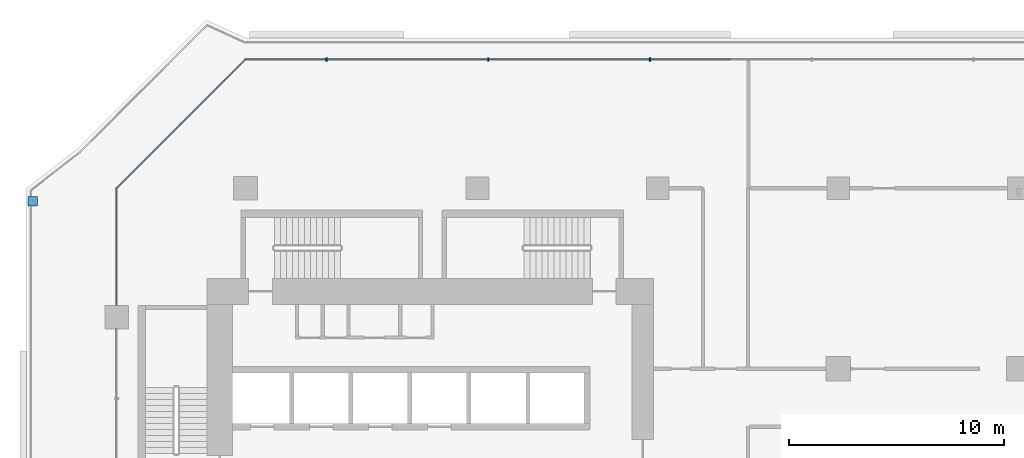
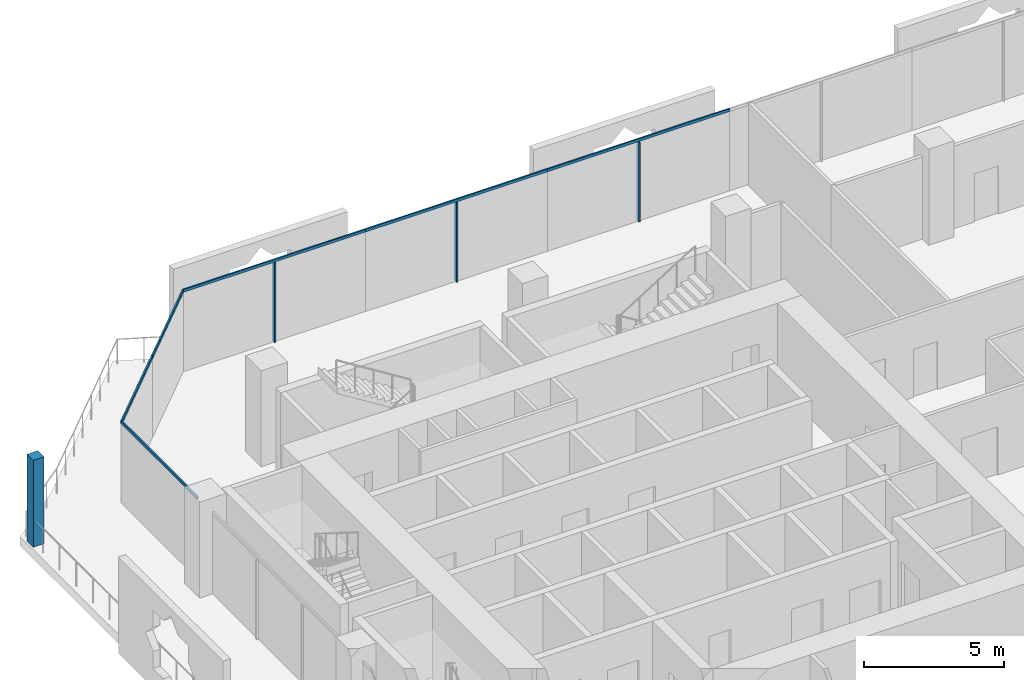
# One storey, part 8 of 25: 10 members, 4 elements without a shape of their own.
"""IFC4 building model written with IfcOpenShell, lengths in metres."""

from ifc_helpers import new_model, si_unit, direction, frame, origin, origin_2d, place, context, subcontext, project, spatial, rectangle, extrude, material, layer, layer_set, material_profile, profile_set, type_object, element, aggregate, save


model = new_model("IFC4")

# Units and contexts
model_context = context("Model", 3, precision=1e-05, world=origin(), true_north=direction((0.0, 1.0)))
body_context = subcontext(model_context, "Body", "Model", "MODEL_VIEW")
ifc_project = project(units=[si_unit("LENGTHUNIT", "METRE"), si_unit("AREAUNIT", "SQUARE_METRE"), si_unit("VOLUMEUNIT", "CUBIC_METRE"), si_unit("PLANEANGLEUNIT", "RADIAN"), si_unit("MASSUNIT", "GRAM", prefix="KILO")], contexts=[model_context])

# Site, building, storey
site_placement = place(None, origin())
site = spatial("IfcSite", under=ifc_project, at=site_placement, CompositionType="ELEMENT")
building_placement = place(site_placement, origin())
building = spatial("IfcBuilding", under=site, at=building_placement, Name="Kawkab Arch Medical Tower", CompositionType="ELEMENT")
storey_placement = place(building_placement, frame((0.0, 0.0, 98.800048828125)))
storey = spatial("IfcBuildingStorey", under=building, at=storey_placement, Name="L22", CompositionType="ELEMENT", Elevation=98.800048828125)

# Curtain wall, members
ifc_material_1 = material(Name="Bronze anodised aluminium curtain wall frame", Category="aluminium")
ifc_layer_1 = layer(ifc_material_1, 0.159912109375)
ifc_layer_set_1 = layer_set([ifc_layer_1], Name="Bronze anodised aluminium curtain wall frame")
curtain_wall_type_1 = type_object("IfcCurtainWallType", Name="CW1 ward curtain wall", PredefinedType="NOTDEFINED", material=ifc_layer_set_1)
placement = place(storey_placement, origin())
curtain_wall_1 = element("IfcCurtainWall", 1, at=placement, inside=storey, type_object=curtain_wall_type_1, Name="CW1 Ward curtain wall R11", PredefinedType="NOTDEFINED")
ifc_material_2 = material(Name="Bronze anodised aluminium curtain wall frame", Category="aluminium")
ifc_material_profile_1 = material_profile(ifc_material_2, rectangle(XDim=0.179931640625, YDim=0.06005859375, at=origin_2d()), Name="AL 60x180")
ifc_profile_set_1 = profile_set([ifc_material_profile_1], Name="Bronze anodised aluminium curtain wall frame")
member_type_1 = type_object("IfcMemberType", Name="CW1 mullion 60 x 180", PredefinedType="MULLION", material=ifc_profile_set_1)
member_1_placement = place(storey_placement, frame((24.833251953125, 6.0, 0.0), z_axis=(0.0, 0.0, 1.0), x_axis=(0.0, -1.0, 0.0)))
member_1 = element("IfcMember", 2, at=member_1_placement, type_object=member_type_1, Name="CW1 mullion 7.1", PredefinedType="MULLION", context=body_context, shape_type="SweptSolid", body=[
    extrude(rectangle(XDim=0.179931640625, YDim=0.06005859375, at=origin_2d()), origin(), (0.0, 0.0, 1.0), 3.47998046875),
])
member_2_placement = place(storey_placement, frame((17.300048828125, 6.0, 0.0), z_axis=(0.0, 0.0, 1.0), x_axis=(0.0, -1.0, 0.0)))
member_2 = element("IfcMember", 3, at=member_2_placement, type_object=member_type_1, Name="CW1 mullion 8.1", PredefinedType="MULLION", context=body_context, shape_type="SweptSolid", body=[
    extrude(rectangle(XDim=0.179931640625, YDim=0.06005859375, at=origin_2d()), origin(), (0.0, 0.0, 1.0), 3.47998046875),
])
member_3_placement = place(storey_placement, frame((9.7666015625, 6.0, 0.0), z_axis=(0.0, 0.0, 1.0), x_axis=(0.0, -1.0, 0.0)))
member_3 = element("IfcMember", 4, at=member_3_placement, type_object=member_type_1, Name="CW1 mullion 9.1", PredefinedType="MULLION", context=body_context, shape_type="SweptSolid", body=[
    extrude(rectangle(XDim=0.179931640625, YDim=0.06005859375, at=origin_2d()), origin(), (0.0, 0.0, 1.0), 3.47998046875),
])
ifc_material_3 = material(Name="Bronze anodised aluminium curtain wall frame", Category="aluminium")
ifc_material_profile_2 = material_profile(ifc_material_3, rectangle(XDim=0.06005859375, YDim=0.1201171875, at=origin_2d()), Name="AL 60x120")
ifc_profile_set_2 = profile_set([ifc_material_profile_2], Name="Bronze anodised aluminium curtain wall frame")
member_type_2 = type_object("IfcMemberType", Name="CW1 transom 120 x 60", PredefinedType="USERDEFINED", material=ifc_profile_set_2)
member_4_placement = place(storey_placement, frame((28.60009765625, 6.0, 3.5400390625), z_axis=(-1.0, 0.0, 0.0), x_axis=(0.0, -1.0, 0.0)))
member_4 = element("IfcMember", 5, at=member_4_placement, type_object=member_type_2, Name="CW1 transom 7", ObjectType="TRANSOM", PredefinedType="USERDEFINED", context=body_context, shape_type="SweptSolid", body=[
    extrude(rectangle(XDim=0.06005859375, YDim=0.1201171875, at=origin_2d()), origin(), (0.0, 0.0, 1.0), 7.533447265625),
])
member_5_placement = place(storey_placement, frame((21.066650390625, 6.0, 3.5400390625), z_axis=(-1.0, 0.0, 0.0), x_axis=(0.0, -1.0, 0.0)))
member_5 = element("IfcMember", 6, at=member_5_placement, type_object=member_type_2, Name="CW1 transom 8", ObjectType="TRANSOM", PredefinedType="USERDEFINED", context=body_context, shape_type="SweptSolid", body=[
    extrude(rectangle(XDim=0.06005859375, YDim=0.1201171875, at=origin_2d()), origin(), (0.0, 0.0, 1.0), 7.533203125),
])
member_6_placement = place(storey_placement, frame((13.533447265625, 6.0, 3.5400390625), z_axis=(-1.0, 0.0, 0.0), x_axis=(0.0, -1.0, 0.0)))
member_6 = element("IfcMember", 7, at=member_6_placement, type_object=member_type_2, Name="CW1 transom 9", ObjectType="TRANSOM", PredefinedType="USERDEFINED", context=body_context, shape_type="SweptSolid", body=[
    extrude(rectangle(XDim=0.06005859375, YDim=0.1201171875, at=origin_2d()), origin(), (0.0, 0.0, 1.0), 7.533447265625),
])
aggregate(curtain_wall_1, [member_4, member_1, member_5, member_2, member_6, member_3])

# Curtain wall, member
curtain_wall_2 = element("IfcCurtainWall", 8, at=placement, inside=storey, type_object=curtain_wall_type_1, Name="CW1 Ward curtain wall R13", PredefinedType="NOTDEFINED")
member_7_placement = place(storey_placement, frame((0.0, 0.0, 3.5400390625), z_axis=(0.0, -1.0, 0.0), x_axis=(1.0, 0.0, 0.0)))
member_7 = element("IfcMember", 9, at=member_7_placement, type_object=member_type_2, Name="CW1 transom 1", ObjectType="TRANSOM", PredefinedType="USERDEFINED", context=body_context, shape_type="SweptSolid", body=[
    extrude(rectangle(XDim=0.06005859375, YDim=0.1201171875, at=origin_2d()), origin(), (0.0, 0.0, 1.0), 5.449951171875),
])
aggregate(curtain_wall_2, [member_7])

# Curtain wall, members
ifc_material_4 = material(Name="Bronze anodised aluminium curtain wall frame", Category="aluminium")
ifc_layer_2 = layer(ifc_material_4, 0.159912109375)
ifc_layer_set_2 = layer_set([ifc_layer_2], Name="Bronze anodised aluminium curtain wall frame")
curtain_wall_type_2 = type_object("IfcCurtainWallType", Name="CW2 chamfer curtain wall", PredefinedType="NOTDEFINED", material=ifc_layer_set_2)
curtain_wall_3 = element("IfcCurtainWall", 10, at=placement, inside=storey, type_object=curtain_wall_type_2, Name="CW2 Chamfer curtain wall R12", PredefinedType="NOTDEFINED")
ifc_material_5 = material(Name="Bronze anodised aluminium curtain wall frame", Category="aluminium")
ifc_material_profile_3 = material_profile(ifc_material_5, rectangle(XDim=0.06005859375, YDim=0.139892578125, at=origin_2d()), Name="AL 60x140")
ifc_profile_set_3 = profile_set([ifc_material_profile_3], Name="Bronze anodised aluminium curtain wall frame")
member_type_3 = type_object("IfcMemberType", Name="CW2 transom 140 x 60", PredefinedType="USERDEFINED", material=ifc_profile_set_3)
member_8_placement = place(storey_placement, frame((6.0, 6.0, 3.530029296875), z_axis=(-0.707106781187, -0.707106781187, 0.0), x_axis=(0.707106781187, -0.707106781187, 0.0)))
member_8 = element("IfcMember", 11, at=member_8_placement, type_object=member_type_3, Name="CW2 transom 1", ObjectType="TRANSOM", PredefinedType="USERDEFINED", context=body_context, shape_type="SweptSolid", body=[
    extrude(rectangle(XDim=0.06005859375, YDim=0.139892578125, at=origin_2d()), origin(), (0.0, 0.0, 1.0), 4.24267578125),
])
member_9_placement = place(storey_placement, frame((3.0, 3.0, 3.530029296875), z_axis=(-0.707106781187, -0.707106781187, 0.0), x_axis=(0.707106781187, -0.707106781187, 0.0)))
member_9 = element("IfcMember", 12, at=member_9_placement, type_object=member_type_3, Name="CW2 transom 2", ObjectType="TRANSOM", PredefinedType="USERDEFINED", context=body_context, shape_type="SweptSolid", body=[
    extrude(rectangle(XDim=0.06005859375, YDim=0.139892578125, at=origin_2d()), origin(), (0.0, 0.0, 1.0), 4.24267578125),
])
aggregate(curtain_wall_3, [member_8, member_9])

# Curtain wall, member
ifc_material_6 = material(Name="Bronze anodised aluminium climber frame, planted", Category="aluminium")
ifc_layer_3 = layer(ifc_material_6, 0.449951171875)
ifc_layer_set_3 = layer_set([ifc_layer_3], Name="Bronze anodised aluminium climber frame, planted")
curtain_wall_type_3 = type_object("IfcCurtainWallType", Name="Planted climber frame", PredefinedType="NOTDEFINED", material=ifc_layer_set_3)
curtain_wall_4 = element("IfcCurtainWall", 13, at=placement, inside=storey, type_object=curtain_wall_type_3, Name="Planted climber frame L22", PredefinedType="NOTDEFINED")
ifc_material_7 = material(Name="Bronze anodised aluminium climber frame, planted", Category="aluminium")
ifc_material_profile_4 = material_profile(ifc_material_7, rectangle(XDim=0.449951171875, YDim=0.449951171875, at=origin_2d()), Name="Post 450x450")
ifc_profile_set_4 = profile_set([ifc_material_profile_4], Name="Bronze anodised aluminium climber frame, planted")
member_type_4 = type_object("IfcMemberType", Name="Planted climber post 450 x 450", PredefinedType="MULLION", material=ifc_profile_set_4)
member_10_placement = place(storey_placement, frame((-3.89990234375, -0.596923828125, 0.0), z_axis=(0.0, 0.0, 1.0), x_axis=(1.0, 0.0, 0.0)))
member_10 = element("IfcMember", 14, at=member_10_placement, type_object=member_type_4, Name="Planted climber post L22.LOG-01-01.2", PredefinedType="MULLION", context=body_context, shape_type="SweptSolid", body=[
    extrude(rectangle(XDim=0.449951171875, YDim=0.449951171875, at=origin_2d()), origin(), (0.0, 0.0, 1.0), 3.800048828125),
])
aggregate(curtain_wall_4, [member_10])

save(model, "model.ifc")
